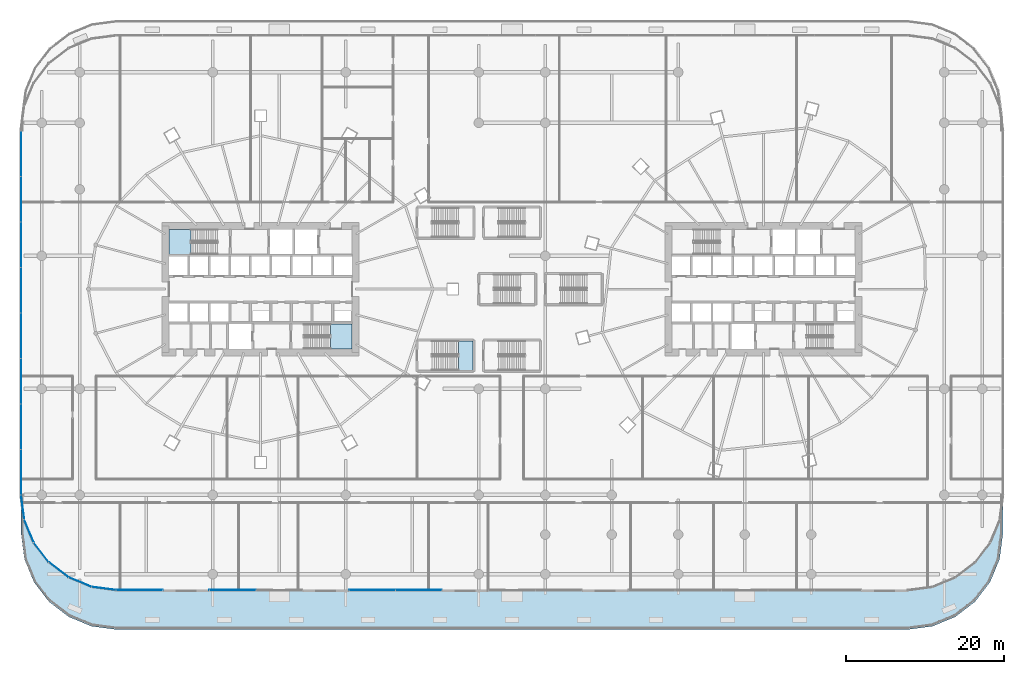
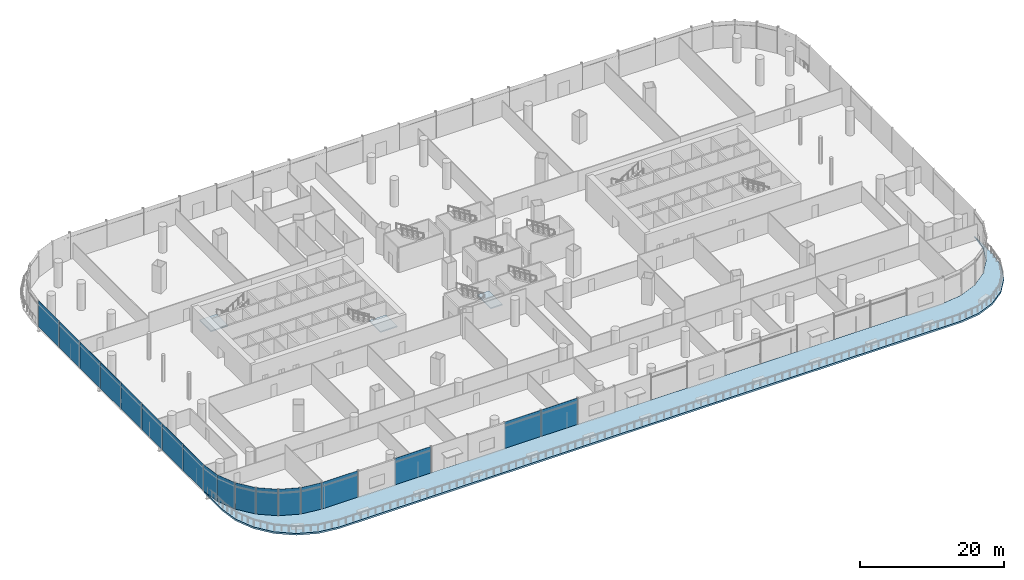
# One storey, part 24 of 43: 18 plates, 4 slabs, 4 elements without a shape of their own.
"""IFC4 building model written with IfcOpenShell, lengths in metres."""

from ifc_helpers import new_model, si_unit, direction, frame, origin, origin_2d, place, context, subcontext, project, spatial, polyline, rectangle, outline, extrude, material, layer, layer_set, type_object, element, aggregate, save


model = new_model("IFC4")

# Units and contexts
model_context = context("Model", 3, precision=1e-05, world=origin(), true_north=direction((0.0, 1.0)))
body_context = subcontext(model_context, "Body", "Model", "MODEL_VIEW")
ifc_project = project(units=[si_unit("LENGTHUNIT", "METRE"), si_unit("AREAUNIT", "SQUARE_METRE"), si_unit("VOLUMEUNIT", "CUBIC_METRE"), si_unit("PLANEANGLEUNIT", "RADIAN"), si_unit("MASSUNIT", "GRAM", prefix="KILO")], contexts=[model_context])

# Site, building, storey
site_placement = place(None, origin())
site = spatial("IfcSite", under=ifc_project, at=site_placement, CompositionType="ELEMENT")
building_placement = place(site_placement, origin())
building = spatial("IfcBuilding", under=site, at=building_placement, Name="Rimbun Link Towers", CompositionType="ELEMENT")
storey_placement = place(building_placement, frame((0.0, 0.0, 12.0)))
storey = spatial("IfcBuildingStorey", under=building, at=storey_placement, Name="L02", CompositionType="ELEMENT", Elevation=12.0)

# Curtain wall, plates
ifc_material_1 = material(Name="Aluminium 6063-T6 and low-iron glass", Category="aluminium")
curtain_wall_type = type_object("IfcCurtainWallType", Name="CW3 podium shopfront", PredefinedType="NOTDEFINED", material=ifc_material_1)
curtain_wall_placement = place(storey_placement, origin())
curtain_wall = element("IfcCurtainWall", 1, at=curtain_wall_placement, inside=storey, type_object=curtain_wall_type, Name="CW3 L02 PD", PredefinedType="NOTDEFINED")
ifc_material_2 = material(Name="Clear toughened low-iron glass", Category="glass")
ifc_layer_1 = layer(ifc_material_2, 0.02392578125)
ifc_layer_set_1 = layer_set([ifc_layer_1], Name="CW3 panel Clear toughened low-iron glass 24")
plate_type = type_object("IfcPlateType", Name="CW3 panel Clear toughened low-iron glass 24", PredefinedType="CURTAIN_PANEL", material=ifc_layer_set_1)
plate_1_placement = place(storey_placement, frame((-62.011962890625, 17.125, 0.0), z_axis=(0.0, 0.0, 1.0), x_axis=(0.0, 1.0, 0.0)))
plate_1 = element("IfcPlate", 2, at=plate_1_placement, type_object=plate_type, Name="CW3 panel", PredefinedType="CURTAIN_PANEL", context=body_context, shape_type="SweptSolid", body=[
    extrude(rectangle(XDim=5.7099609375, YDim=0.02392578125, at=origin_2d()), origin(), (0.0, 0.0, 1.0), 4.5),
])
plate_2_placement = place(storey_placement, frame((-62.011962890625, 11.375, 0.0), z_axis=(0.0, 0.0, 1.0), x_axis=(0.0, 1.0, 0.0)))
plate_2 = element("IfcPlate", 3, at=plate_2_placement, type_object=plate_type, Name="CW3 panel", PredefinedType="CURTAIN_PANEL", context=body_context, shape_type="SweptSolid", body=[
    extrude(rectangle(XDim=5.7099609375, YDim=0.02392578125, at=origin_2d()), origin(), (0.0, 0.0, 1.0), 4.5),
])
plate_3_placement = place(storey_placement, frame((-62.011962890625, 5.625, 0.0), z_axis=(0.0, 0.0, 1.0), x_axis=(0.0, 1.0, 0.0)))
plate_3 = element("IfcPlate", 4, at=plate_3_placement, type_object=plate_type, Name="CW3 panel", PredefinedType="CURTAIN_PANEL", context=body_context, shape_type="SweptSolid", body=[
    extrude(rectangle(XDim=5.7099609375, YDim=0.02392578125, at=origin_2d()), origin(), (0.0, 0.0, 1.0), 4.5),
])
plate_4_placement = place(storey_placement, frame((-62.011962890625, -0.125, 0.0), z_axis=(0.0, 0.0, 1.0), x_axis=(0.0, 1.0, 0.0)))
plate_4 = element("IfcPlate", 5, at=plate_4_placement, type_object=plate_type, Name="CW3 panel", PredefinedType="CURTAIN_PANEL", context=body_context, shape_type="SweptSolid", body=[
    extrude(rectangle(XDim=5.7099609375, YDim=0.02392578125, at=origin_2d()), origin(), (0.0, 0.0, 1.0), 4.5),
])
plate_5_placement = place(storey_placement, frame((-62.011962890625, -5.875, 0.0), z_axis=(0.0, 0.0, 1.0), x_axis=(0.0, 1.0, 0.0)))
plate_5 = element("IfcPlate", 6, at=plate_5_placement, type_object=plate_type, Name="CW3 panel", PredefinedType="CURTAIN_PANEL", context=body_context, shape_type="SweptSolid", body=[
    extrude(rectangle(XDim=5.7099609375, YDim=0.02392578125, at=origin_2d()), origin(), (0.0, 0.0, 1.0), 4.5),
])
plate_6_placement = place(storey_placement, frame((-62.011962890625, -11.625, 0.0), z_axis=(0.0, 0.0, 1.0), x_axis=(0.0, 1.0, 0.0)))
plate_6 = element("IfcPlate", 7, at=plate_6_placement, type_object=plate_type, Name="CW3 panel", PredefinedType="CURTAIN_PANEL", context=body_context, shape_type="SweptSolid", body=[
    extrude(rectangle(XDim=5.7099609375, YDim=0.02392578125, at=origin_2d()), origin(), (0.0, 0.0, 1.0), 4.5),
])
plate_7_placement = place(storey_placement, frame((-62.011962890625, -17.375, 0.0), z_axis=(0.0, 0.0, 1.0), x_axis=(0.0, 1.0, 0.0)))
plate_7 = element("IfcPlate", 8, at=plate_7_placement, type_object=plate_type, Name="CW3 panel", PredefinedType="CURTAIN_PANEL", context=body_context, shape_type="SweptSolid", body=[
    extrude(rectangle(XDim=5.7099609375, YDim=0.02392578125, at=origin_2d()), origin(), (0.0, 0.0, 1.0), 4.5),
])
plate_8_placement = place(storey_placement, frame((-62.011962890625, -23.125, 0.0), z_axis=(0.0, 0.0, 1.0), x_axis=(0.0, 1.0, 0.0)))
plate_8 = element("IfcPlate", 9, at=plate_8_placement, type_object=plate_type, Name="CW3 panel", PredefinedType="CURTAIN_PANEL", context=body_context, shape_type="SweptSolid", body=[
    extrude(rectangle(XDim=5.7099609375, YDim=0.02392578125, at=origin_2d()), origin(), (0.0, 0.0, 1.0), 4.5),
])
plate_9_placement = place(storey_placement, frame((-61.807373046875, -27.554443359375, 0.0), z_axis=(0.0, 0.0, 1.0), x_axis=(-0.130530482602, 0.991444296525, 0.0)))
plate_9 = element("IfcPlate", 10, at=plate_9_placement, type_object=plate_type, Name="CW3 panel", PredefinedType="CURTAIN_PANEL", context=body_context, shape_type="SweptSolid", body=[
    extrude(rectangle(XDim=3.092529296875, YDim=0.02392578125, at=origin_2d()), origin(), (0.0, 0.0, 1.0), 4.5),
])
plate_10_placement = place(storey_placement, frame((-61.002685546875, -30.557373046875, 0.0), z_axis=(0.0, 0.0, 1.0), x_axis=(-0.382678829747, 0.923881438965, 0.0)))
plate_10 = element("IfcPlate", 11, at=plate_10_placement, type_object=plate_type, Name="CW3 panel", PredefinedType="CURTAIN_PANEL", context=body_context, shape_type="SweptSolid", body=[
    extrude(rectangle(XDim=3.0927734375, YDim=0.02392578125, at=origin_2d()), origin(), (0.0, 0.0, 1.0), 4.5),
])
plate_11_placement = place(storey_placement, frame((-59.4482421875, -33.25, 0.0), z_axis=(0.0, 0.0, 1.0), x_axis=(-0.608753841569, 0.793359162281, 0.0)))
plate_11 = element("IfcPlate", 12, at=plate_11_placement, type_object=plate_type, Name="CW3 panel", PredefinedType="CURTAIN_PANEL", context=body_context, shape_type="SweptSolid", body=[
    extrude(rectangle(XDim=3.092529296875, YDim=0.02392578125, at=origin_2d()), origin(), (0.0, 0.0, 1.0), 4.5),
])
plate_12_placement = place(storey_placement, frame((-57.25, -35.4482421875, 0.0), z_axis=(0.0, 0.0, 1.0), x_axis=(-0.793359162281, 0.608753841569, 0.0)))
plate_12 = element("IfcPlate", 13, at=plate_12_placement, type_object=plate_type, Name="CW3 panel", PredefinedType="CURTAIN_PANEL", context=body_context, shape_type="SweptSolid", body=[
    extrude(rectangle(XDim=3.092529296875, YDim=0.02392578125, at=origin_2d()), origin(), (0.0, 0.0, 1.0), 4.5),
])
plate_13_placement = place(storey_placement, frame((-54.557373046875, -37.002685546875, 0.0), z_axis=(0.0, 0.0, 1.0), x_axis=(-0.923881438965, 0.382678829747, 0.0)))
plate_13 = element("IfcPlate", 14, at=plate_13_placement, type_object=plate_type, Name="CW3 panel", PredefinedType="CURTAIN_PANEL", context=body_context, shape_type="SweptSolid", body=[
    extrude(rectangle(XDim=3.0927734375, YDim=0.02392578125, at=origin_2d()), origin(), (0.0, 0.0, 1.0), 4.5),
])
plate_14_placement = place(storey_placement, frame((-51.554443359375, -37.807373046875, 0.0), z_axis=(0.0, 0.0, 1.0), x_axis=(-0.991444296525, 0.130530482602, 0.0)))
plate_14 = element("IfcPlate", 15, at=plate_14_placement, type_object=plate_type, Name="CW3 panel", PredefinedType="CURTAIN_PANEL", context=body_context, shape_type="SweptSolid", body=[
    extrude(rectangle(XDim=3.092529296875, YDim=0.02392578125, at=origin_2d()), origin(), (0.0, 0.0, 1.0), 4.5),
])
plate_15_placement = place(storey_placement, frame((-47.058837890625, -38.011962890625, 0.0), z_axis=(0.0, 0.0, 1.0), x_axis=(-1.0, 0.0, 0.0)))
plate_15 = element("IfcPlate", 16, at=plate_15_placement, type_object=plate_type, Name="CW3 panel", PredefinedType="CURTAIN_PANEL", context=body_context, shape_type="SweptSolid", body=[
    extrude(rectangle(XDim=5.84228515625, YDim=0.02392578125, at=origin_2d()), origin(), (0.0, 0.0, 1.0), 4.5),
])
plate_16_placement = place(storey_placement, frame((-35.294189453125, -38.011962890625, 0.0), z_axis=(0.0, 0.0, 1.0), x_axis=(-1.0, 0.0, 0.0)))
plate_16 = element("IfcPlate", 17, at=plate_16_placement, type_object=plate_type, Name="CW3 panel", PredefinedType="CURTAIN_PANEL", context=body_context, shape_type="SweptSolid", body=[
    extrude(rectangle(XDim=5.84228515625, YDim=0.02392578125, at=origin_2d()), origin(), (0.0, 0.0, 1.0), 4.5),
])
plate_17_placement = place(storey_placement, frame((-17.64697265625, -38.011962890625, 0.0), z_axis=(0.0, 0.0, 1.0), x_axis=(-1.0, 0.0, 0.0)))
plate_17 = element("IfcPlate", 18, at=plate_17_placement, type_object=plate_type, Name="CW3 panel", PredefinedType="CURTAIN_PANEL", context=body_context, shape_type="SweptSolid", body=[
    extrude(rectangle(XDim=5.84228515625, YDim=0.02392578125, at=origin_2d()), origin(), (0.0, 0.0, 1.0), 4.5),
])
plate_18_placement = place(storey_placement, frame((-11.7646484375, -38.011962890625, 0.0), z_axis=(0.0, 0.0, 1.0), x_axis=(-1.0, 0.0, 0.0)))
plate_18 = element("IfcPlate", 19, at=plate_18_placement, type_object=plate_type, Name="CW3 panel", PredefinedType="CURTAIN_PANEL", context=body_context, shape_type="SweptSolid", body=[
    extrude(rectangle(XDim=5.84228515625, YDim=0.02392578125, at=origin_2d()), origin(), (0.0, 0.0, 1.0), 4.5),
])
aggregate(curtain_wall, [plate_1, plate_2, plate_3, plate_4, plate_5, plate_6, plate_7, plate_8, plate_9, plate_10, plate_11, plate_12, plate_13, plate_14, plate_15, plate_16, plate_17, plate_18])

# Slab
ifc_material_3 = material(Name="Concrete C40/50", Category="concrete")
ifc_layer_2 = layer(ifc_material_3, 0.300048828125)
ifc_layer_set_2 = layer_set([ifc_layer_2], Name="PODIUM TERRACE SLAB 300")
slab_type_1 = type_object("IfcSlabType", Name="PODIUM TERRACE SLAB 300", PredefinedType="FLOOR", material=ifc_layer_set_2)
slab_1_placement = place(storey_placement, frame((0.0, 0.0, -0.300048828125)))
element("IfcSlab", 20, at=slab_1_placement, inside=storey, type_object=slab_type_1, Name="Terrace slab L02", PredefinedType="FLOOR", context=body_context, shape_type="SweptSolid", body=[
    extrude(outline(polyline([(61.591064453125, -34.105712890625), (60.392333984375, -37.0), (58.4853515625, -39.4853515625), (56.0, -41.392333984375), (53.105712890625, -42.591064453125), (50.0, -43.0), (-50.0, -43.0), (-53.105712890625, -42.591064453125), (-56.0, -41.392333984375), (-58.4853515625, -39.4853515625), (-60.392333984375, -37.0), (-61.591064453125, -34.105712890625), (-62.0, -31.0), (-62.0, -26.0), (-61.591064453125, -29.105712890625), (-60.392333984375, -32.0), (-58.4853515625, -34.4853515625), (-56.0, -36.392333984375), (-53.105712890625, -37.591064453125), (-50.0, -38.0), (50.0, -38.0), (53.105712890625, -37.591064453125), (56.0, -36.392333984375), (58.4853515625, -34.4853515625), (60.392333984375, -32.0), (61.591064453125, -29.105712890625), (62.0, -26.0), (62.0, -31.0), (61.591064453125, -34.105712890625)])), origin(), (0.0, 0.0, 1.0), 0.300048828125),
])

# Stair, slab
ifc_material_4 = material(Name="Concrete C40/50", Category="concrete")
stair_type_1 = type_object("IfcStairType", Name="Exit stair 4500 rise", PredefinedType="HALF_TURN_STAIR", material=ifc_material_4)
stair_1_placement = place(storey_placement, origin())
stair_1 = element("IfcStair", 21, at=stair_1_placement, inside=storey, type_object=stair_type_1, Name="L02 EXIT STAIR A", PredefinedType="HALF_TURN_STAIR")
ifc_material_5 = material(Name="Concrete C40/50", Category="concrete")
ifc_layer_3 = layer(ifc_material_5, 0.199951171875)
ifc_layer_set_3 = layer_set([ifc_layer_3], Name="Stair landing")
slab_type_2 = type_object("IfcSlabType", Name="Stair landing", PredefinedType="LANDING", material=ifc_layer_set_3)
slab_2_placement = place(storey_placement, frame((0.0, 0.0, 2.050048828125)))
slab_2 = element("IfcSlab", 22, at=slab_2_placement, type_object=slab_type_2, Name="ST1 landing 1", PredefinedType="LANDING", context=body_context, shape_type="SweptSolid", body=[
    extrude(outline(polyline([(-40.56005859375, 7.550048828125), (-43.300048828125, 7.550048828125), (-43.300048828125, 4.39990234375), (-40.56005859375, 4.39990234375), (-40.56005859375, 7.550048828125)])), origin(), (0.0, 0.0, 1.0), 0.199951171875),
])
aggregate(stair_1, [slab_2])

stair_2_placement = place(storey_placement, origin())
stair_2 = element("IfcStair", 23, at=stair_2_placement, inside=storey, type_object=stair_type_1, Name="L02 EXIT STAIR B", PredefinedType="HALF_TURN_STAIR")
slab_3_placement = place(storey_placement, frame((0.0, 0.0, 2.050048828125)))
slab_3 = element("IfcSlab", 24, at=slab_3_placement, type_object=slab_type_2, Name="ST2 landing 1", PredefinedType="LANDING", context=body_context, shape_type="SweptSolid", body=[
    extrude(outline(polyline([(-22.93994140625, -7.550048828125), (-20.199951171875, -7.550048828125), (-20.199951171875, -4.39990234375), (-22.93994140625, -4.39990234375), (-22.93994140625, -7.550048828125)])), origin(), (0.0, 0.0, 1.0), 0.199951171875),
])
aggregate(stair_2, [slab_3])

ifc_material_6 = material(Name="Concrete C40/50", Category="concrete")
stair_type_2 = type_object("IfcStairType", Name="Podium exit stair 1800", PredefinedType="HALF_TURN_STAIR", material=ifc_material_6)
stair_3_placement = place(storey_placement, origin())
stair_3 = element("IfcStair", 25, at=stair_3_placement, inside=storey, type_object=stair_type_2, Name="L02 PODIUM EXIT STAIR", PredefinedType="HALF_TURN_STAIR")
slab_4_placement = place(storey_placement, frame((0.0, 0.0, 2.050048828125)))
slab_4 = element("IfcSlab", 26, at=slab_4_placement, type_object=slab_type_2, Name="PS1 landing 1", PredefinedType="LANDING", context=body_context, shape_type="SweptSolid", body=[
    extrude(outline(polyline([(-6.739990234375, -10.27490234375), (-4.89990234375, -10.27490234375), (-4.89990234375, -6.52490234375), (-6.739990234375, -6.52490234375), (-6.739990234375, -10.27490234375)])), origin(), (0.0, 0.0, 1.0), 0.199951171875),
])
aggregate(stair_3, [slab_4])

save(model, "model.ifc")
